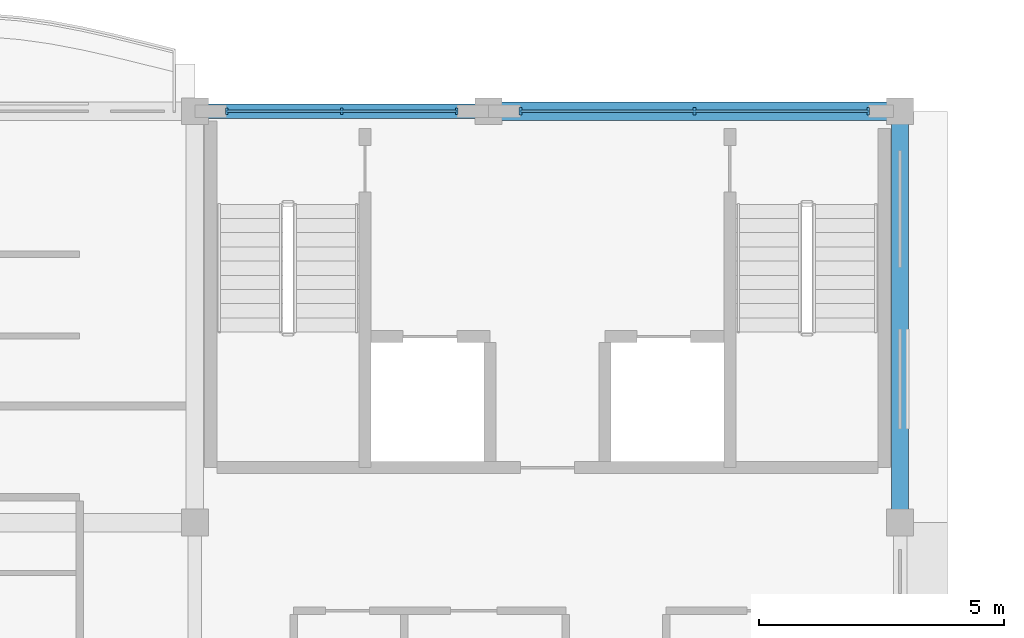
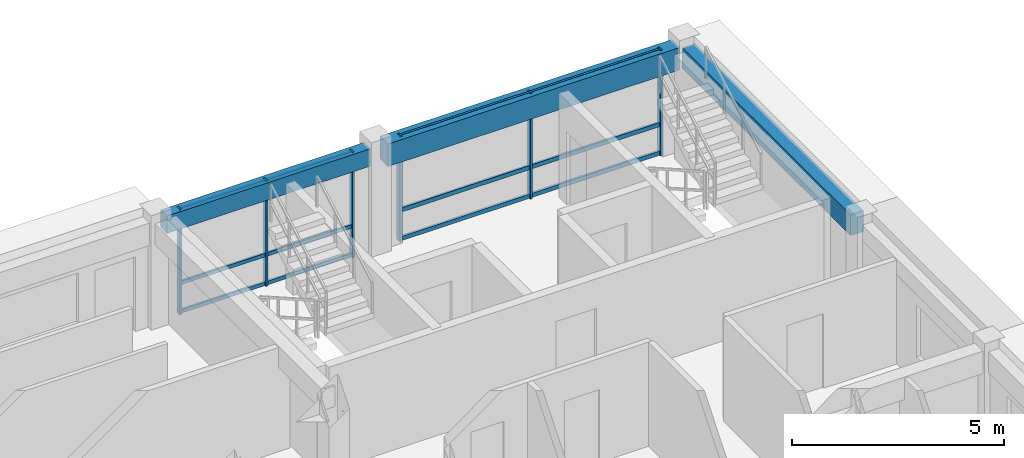
# One storey, part 16 of 54: 12 members, 3 beams, 2 elements without a shape of their own.
"""IFC4 building model written with IfcOpenShell, lengths in metres."""

import ifcopenshell
import ifcopenshell.guid

model = None  # the IFC model being written
_history = None  # IfcOwnerHistory: only IFC2X3 demands one
_inside = {}  # id of a spatial element -> (the spatial element, [elements in it])
_under = {}  # id of a project, library or spatial element -> (it, [spatial elements below it])
_declared = {}  # id of a project -> (the project, [libraries it declares])
_typed = {}  # id of a type object -> (the type object, [elements of that type])
_made_of = {}  # id of a material, layer set ... -> (it, [elements and type objects made of it])


def new_model(schema):
    """Start an empty IFC model of exactly this schema.

    Asked for "IFC4X3", IfcOpenShell would pick the latest addendum, in which some entities
    have other attributes; the version numbers below select the first issue.
    IFC2X3 requires an IfcOwnerHistory on every rooted entity: one is made here for all.
    """
    global model, _history
    if schema == "IFC4X3":
        model = ifcopenshell.file(schema_version=(4, 3, 0, 0))
    else:
        model = ifcopenshell.file(schema=schema)
    _inside.clear()
    _under.clear()
    _declared.clear()
    _typed.clear()
    _made_of.clear()
    _history = None
    if model.schema == "IFC2X3":
        org = make("IfcOrganization", Name="unknown")
        user = make(
            "IfcPersonAndOrganization",
            ThePerson=make("IfcPerson", FamilyName="unknown"),
            TheOrganization=org,
        )
        app = make(
            "IfcApplication",
            ApplicationDeveloper=org,
            Version="unknown",
            ApplicationFullName="unknown",
            ApplicationIdentifier="unknown",
        )
        _history = make(
            "IfcOwnerHistory",
            OwningUser=user,
            OwningApplication=app,
            ChangeAction="ADDED",
            CreationDate=0,
        )
    return model


def make(cls, **values):
    """One entity of the class cls with the attributes given. An attribute that is None is left unset."""
    return model.create_entity(
        cls, **{name: value for name, value in values.items() if value is not None}
    )


def rooted(cls, **values):
    """An entity with a GlobalId (a new one), such as an element, a storey or a relation."""
    return make(cls, GlobalId=ifcopenshell.guid.new(), OwnerHistory=_history, **values)


def si_unit(unit_type, name, prefix=None):
    """IfcSIUnit, for example si_unit("LENGTHUNIT", "METRE", prefix="MILLI")."""
    return make("IfcSIUnit", UnitType=unit_type, Prefix=prefix, Name=name)


def assignment(units):
    """IfcUnitAssignment: the units of a project."""
    return None if units is None else make("IfcUnitAssignment", Units=units)


def point(xyz):
    """IfcCartesianPoint."""
    return None if xyz is None else make("IfcCartesianPoint", Coordinates=xyz)


def direction(xyz):
    """IfcDirection."""
    return None if xyz is None else make("IfcDirection", DirectionRatios=xyz)


def frame(location, z_axis=None, x_axis=None):
    """IfcAxis2Placement3D, a coordinate frame: its origin and axes. An axis left out is left unset."""
    return make(
        "IfcAxis2Placement3D",
        Location=point(location),
        Axis=direction(z_axis),
        RefDirection=direction(x_axis),
    )


def frame_2d(location, x_axis=None):
    """IfcAxis2Placement2D, a coordinate frame in the plane: its origin and x axis."""
    return make(
        "IfcAxis2Placement2D", Location=point(location), RefDirection=direction(x_axis)
    )


def origin():
    """The frame at (0, 0, 0) with its axes left unset."""
    return frame((0.0, 0.0, 0.0))


def origin_2d():
    """The frame at (0, 0) in the plane with its x axis left unset."""
    return frame_2d((0.0, 0.0))


def place(relative_to, where):
    """IfcLocalPlacement: puts the frame where relative to a parent placement (None: the world)."""
    return make(
        "IfcLocalPlacement", PlacementRelTo=relative_to, RelativePlacement=where
    )


def context(
    kind, dimensions, precision=None, world=None, true_north=None, identifier=None
):
    """IfcGeometricRepresentationContext, for example the 3D "Model" context."""
    return make(
        "IfcGeometricRepresentationContext",
        ContextIdentifier=identifier,
        ContextType=kind,
        CoordinateSpaceDimension=dimensions,
        Precision=precision,
        WorldCoordinateSystem=world,
        TrueNorth=true_north,
    )


def subcontext(parent, identifier, kind, view, scale=None):
    """IfcGeometricRepresentationSubContext, for example "Body" below "Model"."""
    return make(
        "IfcGeometricRepresentationSubContext",
        ContextIdentifier=identifier,
        ContextType=kind,
        ParentContext=parent,
        TargetScale=scale,
        TargetView=view,
    )


def project(units=None, contexts=None):
    """IfcProject with its units and contexts."""
    return rooted(
        "IfcProject",
        Name="project",
        RepresentationContexts=contexts,
        UnitsInContext=assignment(units),
    )


def spatial(cls, under=None, at=None, **own):
    """A site, building, storey or space (cls), placed at a placement, below another one or the project."""
    s = rooted(cls, ObjectPlacement=at, **own)
    if under is not None:
        _under.setdefault(under.id(), (under, []))[1].append(s)
    return s


def profile(cls, at=None, kind="AREA", **sizes):
    """A parametric profile (cls). Its sizes go by their IFC names, for example OverallWidth=200.0."""
    return make(cls, ProfileType=kind, Position=at, **sizes)


def rectangle(**sizes):
    """IfcRectangleProfileDef."""
    return profile("IfcRectangleProfileDef", **sizes)


def extrude(swept, where, along, depth):
    """IfcExtrudedAreaSolid: the profile swept, set in the frame where, extruded along a direction by depth."""
    return make(
        "IfcExtrudedAreaSolid",
        SweptArea=swept,
        Position=where,
        ExtrudedDirection=direction(along),
        Depth=depth,
    )


def shape(context_of_items, identifier, shape_type, items):
    """IfcShapeRepresentation: the items that make up one representation, for example the "Body"."""
    return make(
        "IfcShapeRepresentation",
        ContextOfItems=context_of_items,
        RepresentationIdentifier=identifier,
        RepresentationType=shape_type,
        Items=items,
    )


def material(Name=None, Category=None):
    """IfcMaterial."""
    return make("IfcMaterial", Name=Name, Category=Category)


def material_profile(
    of_material, cross_section, Name=None, Category=None, Priority=None
):
    """IfcMaterialProfile: a cross section and its material."""
    return make(
        "IfcMaterialProfile",
        Name=Name,
        Material=of_material,
        Profile=cross_section,
        Priority=Priority,
        Category=Category,
    )


def profile_set(profiles, Name=None, composite=None):
    """IfcMaterialProfileSet."""
    return make(
        "IfcMaterialProfileSet",
        Name=Name,
        MaterialProfiles=profiles,
        CompositeProfile=composite,
    )


def made_of(thing, what):
    """Note that an element or type object is made of a material, layer set ...; save() writes the relation."""
    if what is not None:
        _made_of.setdefault(what.id(), (what, []))[1].append(thing)
    return thing


def type_object(cls, material=None, **own):
    """A type object (cls), such as IfcWallType, which elements share."""
    return made_of(rooted(cls, **own), material)


def element(
    cls,
    number,
    at=None,
    inside=None,
    cuts=None,
    type_object=None,
    material=None,
    context=None,
    identifier="Body",
    shape_type=None,
    held_by="IfcProductDefinitionShape",
    body=None,
    shapes=None,
    **own,
):
    """One element of the class cls, such as IfcWall. Its Tag is "e" and its number.

    at: its placement. inside: the storey or other place that contains it. cuts: it is an
    opening in that element (IfcRelVoidsElement). A single representation is given by context,
    identifier, shape_type and body (its items); several are given by shapes. held_by: the class
    of the entity that holds the representations. save() writes the other relations.
    """
    e = rooted(cls, Tag="e%d" % number, ObjectPlacement=at, **own)
    if body is not None:
        shapes = [shape(context, identifier, shape_type, body)]
    if shapes is not None:
        e.Representation = make(held_by, Representations=shapes)
    if inside is not None:
        _inside.setdefault(inside.id(), (inside, []))[1].append(e)
    if cuts is not None:
        rooted(
            "IfcRelVoidsElement", RelatingBuildingElement=cuts, RelatedOpeningElement=e
        )
    if type_object is not None:
        _typed.setdefault(type_object.id(), (type_object, []))[1].append(e)
    return made_of(e, material)


def aggregate(whole, parts):
    """IfcRelAggregates: a whole, such as a stair, and the parts it consists of."""
    return rooted("IfcRelAggregates", RelatingObject=whole, RelatedObjects=parts)


def save(model, path):
    """Write the relations noted so far, then the file.

    IfcRelAggregates (storeys below a building ...), IfcRelContainedInSpatialStructure (elements
    in a storey), IfcRelDefinesByType, IfcRelAssociatesMaterial and IfcRelDeclares: one each for
    every whole, place, type object, material and project.
    """
    for whole, parts in _under.values():
        aggregate(whole, parts)
    for where, things in _inside.values():
        rooted(
            "IfcRelContainedInSpatialStructure",
            RelatedElements=things,
            RelatingStructure=where,
        )
    for kind, things in _typed.values():
        rooted("IfcRelDefinesByType", RelatedObjects=things, RelatingType=kind)
    for what, things in _made_of.values():
        rooted("IfcRelAssociatesMaterial", RelatedObjects=things, RelatingMaterial=what)
    for by, libraries in _declared.values():
        rooted("IfcRelDeclares", RelatingContext=by, RelatedDefinitions=libraries)
    model.write(path)


model = new_model("IFC4")

# Units and contexts
model_context = context("Model", 3, precision=1e-05, world=origin(), true_north=direction((0.0, 1.0)))
body_context = subcontext(model_context, "Body", "Model", "MODEL_VIEW")
ifc_project = project(units=[si_unit("LENGTHUNIT", "METRE"), si_unit("AREAUNIT", "SQUARE_METRE"), si_unit("VOLUMEUNIT", "CUBIC_METRE"), si_unit("PLANEANGLEUNIT", "RADIAN"), si_unit("MASSUNIT", "GRAM", prefix="KILO"), si_unit("THERMODYNAMICTEMPERATUREUNIT", "KELVIN")], contexts=[model_context])

# Site, building, storey
site_placement = place(None, origin())
site = spatial("IfcSite", under=ifc_project, at=site_placement, CompositionType="ELEMENT")
building_placement = place(site_placement, origin())
building = spatial("IfcBuilding", under=site, at=building_placement, Name="Thalorik Housing Commons", CompositionType="ELEMENT")
storey_placement = place(building_placement, frame((0.0, 0.0, 31.199951171875)))
storey = spatial("IfcBuildingStorey", under=building, at=storey_placement, Name="L09", CompositionType="ELEMENT", Elevation=31.199951171875)

# Curtain wall, members
ifc_material_1 = material(Name="Anodised aluminium and solar-control low-E glass", Category="aluminium")
curtain_wall_type = type_object("IfcCurtainWallType", Name="ARC-CW-CORE", PredefinedType="USERDEFINED", material=ifc_material_1)
curtain_wall_1_placement = place(storey_placement, origin())
curtain_wall_1 = element("IfcCurtainWall", 1, at=curtain_wall_1_placement, inside=storey, type_object=curtain_wall_type, Name="L09 Curtain Wall CW-CORE-L09-B-110", ObjectType="CURTAIN WALL", PredefinedType="USERDEFINED")
ifc_material_2 = material(Name="Anodised aluminium 6063-T6", Category="aluminium")
ifc_material_profile_1 = material_profile(ifc_material_2, rectangle(XDim=0.054931640625, YDim=0.139892578125, at=origin_2d()), Name="ALU MUL 55x140", Category="aluminium")
ifc_profile_set_1 = profile_set([ifc_material_profile_1], Name="Anodised aluminium 6063-T6")
member_type_1 = type_object("IfcMemberType", Name="ARC-CW-MUL-55x140", PredefinedType="MULLION", material=ifc_profile_set_1)
member_1_placement = place(storey_placement, frame((157.75, 123.60009765625, 0.0), z_axis=(0.0, 0.0, 1.0), x_axis=(-1.0, 0.0, 0.0)))
member_1 = element("IfcMember", 2, at=member_1_placement, type_object=member_type_1, Name="CW-CORE-L09-B-110 Mullion 1", PredefinedType="MULLION", context=body_context, shape_type="SweptSolid", body=[
    extrude(rectangle(XDim=0.054931640625, YDim=0.139892578125, at=origin_2d()), origin(), (0.0, 0.0, 1.0), 3.0400390625),
])
member_2_placement = place(storey_placement, frame((155.39990234375, 123.60009765625, 0.0), z_axis=(0.0, 0.0, 1.0), x_axis=(-1.0, 0.0, 0.0)))
member_2 = element("IfcMember", 3, at=member_2_placement, type_object=member_type_1, Name="CW-CORE-L09-B-110 Mullion 2", PredefinedType="MULLION", context=body_context, shape_type="SweptSolid", body=[
    extrude(rectangle(XDim=0.054931640625, YDim=0.139892578125, at=origin_2d()), origin(), (0.0, 0.0, 1.0), 3.0400390625),
])
member_3_placement = place(storey_placement, frame((153.050048828125, 123.60009765625, 0.0), z_axis=(0.0, 0.0, 1.0), x_axis=(-1.0, 0.0, 0.0)))
member_3 = element("IfcMember", 4, at=member_3_placement, type_object=member_type_1, Name="CW-CORE-L09-B-110 Mullion 3", PredefinedType="MULLION", context=body_context, shape_type="SweptSolid", body=[
    extrude(rectangle(XDim=0.054931640625, YDim=0.139892578125, at=origin_2d()), origin(), (0.0, 0.0, 1.0), 3.0400390625),
])

curtain_wall_2_placement = place(storey_placement, origin())
curtain_wall_2 = element("IfcCurtainWall", 5, at=curtain_wall_2_placement, inside=storey, type_object=curtain_wall_type, Name="L09 Curtain Wall CW-CORE-L09-B-109", ObjectType="CURTAIN WALL", PredefinedType="USERDEFINED")
ifc_material_profile_2 = material_profile(ifc_material_2, rectangle(XDim=0.06005859375, YDim=0.159912109375, at=origin_2d()), Name="ALU MUL 60x160", Category="aluminium")
ifc_profile_set_2 = profile_set([ifc_material_profile_2], Name="Anodised aluminium 6063-T6")
member_type_2 = type_object("IfcMemberType", Name="ARC-CW-MUL-60x160", PredefinedType="MULLION", material=ifc_profile_set_2)
member_4_placement = place(storey_placement, frame((166.14990234375, 123.60009765625, 0.0), z_axis=(0.0, 0.0, 1.0), x_axis=(-1.0, 0.0, 0.0)))
member_4 = element("IfcMember", 6, at=member_4_placement, type_object=member_type_2, Name="CW-CORE-L09-B-109 Mullion 1", PredefinedType="MULLION", context=body_context, shape_type="SweptSolid", body=[
    extrude(rectangle(XDim=0.06005859375, YDim=0.159912109375, at=origin_2d()), origin(), (0.0, 0.0, 1.0), 3.0400390625),
])
member_5_placement = place(storey_placement, frame((162.60009765625, 123.60009765625, 0.0), z_axis=(0.0, 0.0, 1.0), x_axis=(-1.0, 0.0, 0.0)))
member_5 = element("IfcMember", 7, at=member_5_placement, type_object=member_type_2, Name="CW-CORE-L09-B-109 Mullion 2", PredefinedType="MULLION", context=body_context, shape_type="SweptSolid", body=[
    extrude(rectangle(XDim=0.06005859375, YDim=0.159912109375, at=origin_2d()), origin(), (0.0, 0.0, 1.0), 3.0400390625),
])
member_6_placement = place(storey_placement, frame((159.050048828125, 123.60009765625, 0.0), z_axis=(0.0, 0.0, 1.0), x_axis=(-1.0, 0.0, 0.0)))
member_6 = element("IfcMember", 8, at=member_6_placement, type_object=member_type_2, Name="CW-CORE-L09-B-109 Mullion 3", PredefinedType="MULLION", context=body_context, shape_type="SweptSolid", body=[
    extrude(rectangle(XDim=0.06005859375, YDim=0.159912109375, at=origin_2d()), origin(), (0.0, 0.0, 1.0), 3.0400390625),
])

# Member
ifc_material_profile_3 = material_profile(ifc_material_2, rectangle(XDim=0.054931640625, YDim=0.10498046875, at=origin_2d()), Name="ALU TRN 55x105", Category="aluminium")
ifc_profile_set_3 = profile_set([ifc_material_profile_3], Name="Anodised aluminium 6063-T6")
member_type_3 = type_object("IfcMemberType", Name="ARC-CW-TRN-55x105", PredefinedType="USERDEFINED", material=ifc_profile_set_3)
member_7_placement = place(storey_placement, frame((157.75, 123.60009765625, 0.054931640625), z_axis=(-1.0, 0.0, 0.0), x_axis=(0.0, -1.0, 0.0)))
member_7 = element("IfcMember", 9, at=member_7_placement, type_object=member_type_3, Name="CW-CORE-L09-B-110 Transom 1", ObjectType="TRANSOM", PredefinedType="USERDEFINED", context=body_context, shape_type="SweptSolid", body=[
    extrude(rectangle(XDim=0.054931640625, YDim=0.10498046875, at=origin_2d()), origin(), (0.0, 0.0, 1.0), 4.699951171875),
])

member_8_placement = place(storey_placement, frame((157.75, 123.60009765625, 0.880126953125), z_axis=(-1.0, 0.0, 0.0), x_axis=(0.0, -1.0, 0.0)))
member_8 = element("IfcMember", 10, at=member_8_placement, type_object=member_type_3, Name="CW-CORE-L09-B-110 Transom 2", ObjectType="TRANSOM", PredefinedType="USERDEFINED", context=body_context, shape_type="SweptSolid", body=[
    extrude(rectangle(XDim=0.054931640625, YDim=0.10498046875, at=origin_2d()), origin(), (0.0, 0.0, 1.0), 4.699951171875),
])

member_9_placement = place(storey_placement, frame((157.75, 123.60009765625, 2.985107421875), z_axis=(-1.0, 0.0, 0.0), x_axis=(0.0, -1.0, 0.0)))
member_9 = element("IfcMember", 11, at=member_9_placement, type_object=member_type_3, Name="CW-CORE-L09-B-110 Transom 3", ObjectType="TRANSOM", PredefinedType="USERDEFINED", context=body_context, shape_type="SweptSolid", body=[
    extrude(rectangle(XDim=0.054931640625, YDim=0.10498046875, at=origin_2d()), origin(), (0.0, 0.0, 1.0), 4.699951171875),
])

aggregate(curtain_wall_1, [member_1, member_2, member_3, member_7, member_8, member_9])

ifc_material_profile_4 = material_profile(ifc_material_2, rectangle(XDim=0.06005859375, YDim=0.1201171875, at=origin_2d()), Name="ALU TRN 60x120", Category="aluminium")
ifc_profile_set_4 = profile_set([ifc_material_profile_4], Name="Anodised aluminium 6063-T6")
member_type_4 = type_object("IfcMemberType", Name="ARC-CW-TRN-60x120", PredefinedType="USERDEFINED", material=ifc_profile_set_4)
member_10_placement = place(storey_placement, frame((166.14990234375, 123.60009765625, 0.054931640625), z_axis=(-1.0, 0.0, 0.0), x_axis=(0.0, -1.0, 0.0)))
member_10 = element("IfcMember", 12, at=member_10_placement, type_object=member_type_4, Name="CW-CORE-L09-B-109 Transom 1", ObjectType="TRANSOM", PredefinedType="USERDEFINED", context=body_context, shape_type="SweptSolid", body=[
    extrude(rectangle(XDim=0.06005859375, YDim=0.1201171875, at=origin_2d()), origin(), (0.0, 0.0, 1.0), 7.099853515625),
])

member_11_placement = place(storey_placement, frame((166.14990234375, 123.60009765625, 0.880126953125), z_axis=(-1.0, 0.0, 0.0), x_axis=(0.0, -1.0, 0.0)))
member_11 = element("IfcMember", 13, at=member_11_placement, type_object=member_type_4, Name="CW-CORE-L09-B-109 Transom 2", ObjectType="TRANSOM", PredefinedType="USERDEFINED", context=body_context, shape_type="SweptSolid", body=[
    extrude(rectangle(XDim=0.06005859375, YDim=0.1201171875, at=origin_2d()), origin(), (0.0, 0.0, 1.0), 7.099853515625),
])

member_12_placement = place(storey_placement, frame((166.14990234375, 123.60009765625, 2.985107421875), z_axis=(-1.0, 0.0, 0.0), x_axis=(0.0, -1.0, 0.0)))
member_12 = element("IfcMember", 14, at=member_12_placement, type_object=member_type_4, Name="CW-CORE-L09-B-109 Transom 3", ObjectType="TRANSOM", PredefinedType="USERDEFINED", context=body_context, shape_type="SweptSolid", body=[
    extrude(rectangle(XDim=0.06005859375, YDim=0.1201171875, at=origin_2d()), origin(), (0.0, 0.0, 1.0), 7.099853515625),
])

aggregate(curtain_wall_2, [member_4, member_5, member_6, member_10, member_11, member_12])

# Beams
ifc_material_3 = material(Name="Precast concrete C40/50", Category="concrete")
ifc_material_profile_5 = material_profile(ifc_material_3, rectangle(XDim=0.300048828125, YDim=0.5, at=origin_2d()), Name="PC 300x500", Category="concrete")
ifc_profile_set_5 = profile_set([ifc_material_profile_5], Name="Precast concrete C40/50")
beam_type_1 = type_object("IfcBeamType", Name="STR-BM-PC300x500", PredefinedType="BEAM", material=ifc_profile_set_5)
beam_1_placement = place(storey_placement, frame((152.625, 123.60009765625, 2.7900390625), z_axis=(1.0, 0.0, 0.0), x_axis=(0.0, 1.0, 0.0)))
element("IfcBeam", 15, at=beam_1_placement, inside=storey, type_object=beam_type_1, Name="L09 Beam B-500", PredefinedType="BEAM", context=body_context, shape_type="SweptSolid", body=[
    extrude(rectangle(XDim=0.300048828125, YDim=0.5, at=origin_2d()), origin(), (0.0, 0.0, 1.0), 5.550048828125),
])
ifc_material_profile_6 = material_profile(ifc_material_3, rectangle(XDim=0.35009765625, YDim=0.60009765625, at=origin_2d()), Name="PC 350x600", Category="concrete")
ifc_profile_set_6 = profile_set([ifc_material_profile_6], Name="Precast concrete C40/50")
beam_type_2 = type_object("IfcBeamType", Name="STR-BM-PC350x600", PredefinedType="BEAM", material=ifc_profile_set_6)
beam_2_placement = place(storey_placement, frame((166.800048828125, 115.425048828125, 2.739990234375), z_axis=(0.0, 1.0, 0.0), x_axis=(-1.0, 0.0, 0.0)))
element("IfcBeam", 16, at=beam_2_placement, inside=storey, type_object=beam_type_2, Name="L09 Beam B-600", PredefinedType="BEAM", context=body_context, shape_type="SweptSolid", body=[
    extrude(rectangle(XDim=0.35009765625, YDim=0.60009765625, at=origin_2d()), origin(), (0.0, 0.0, 1.0), 7.949951171875),
])
ifc_material_profile_7 = material_profile(ifc_material_3, rectangle(XDim=0.3798828125, YDim=0.64990234375, at=origin_2d()), Name="PC 380x650", Category="concrete")
ifc_profile_set_7 = profile_set([ifc_material_profile_7], Name="Precast concrete C40/50")
beam_type_3 = type_object("IfcBeamType", Name="STR-BM-PC380x650", PredefinedType="BEAM", material=ifc_profile_set_7)
beam_3_placement = place(storey_placement, frame((158.625, 123.60009765625, 2.715087890625), z_axis=(1.0, 0.0, 0.0), x_axis=(0.0, 1.0, 0.0)))
element("IfcBeam", 17, at=beam_3_placement, inside=storey, type_object=beam_type_3, Name="L09 Beam B-650", PredefinedType="BEAM", context=body_context, shape_type="SweptSolid", body=[
    extrude(rectangle(XDim=0.3798828125, YDim=0.64990234375, at=origin_2d()), origin(), (0.0, 0.0, 1.0), 7.949951171875),
])

save(model, "model.ifc")
